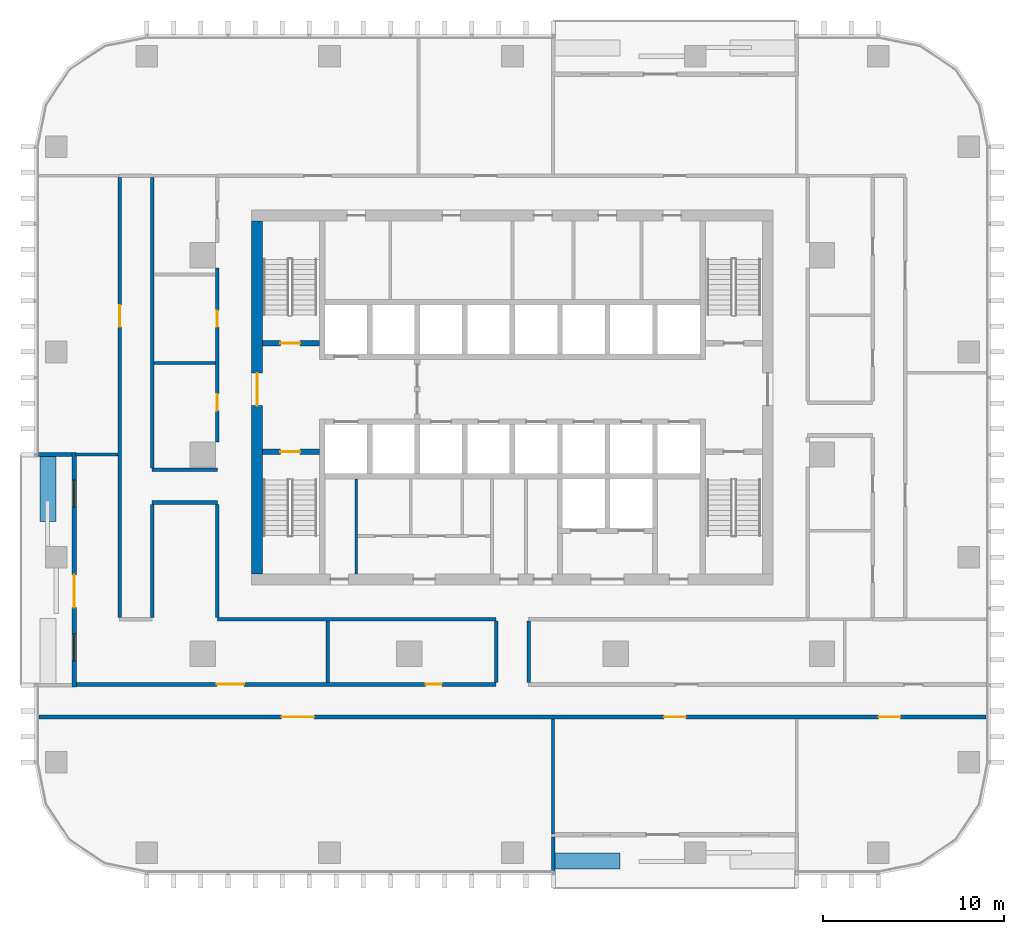
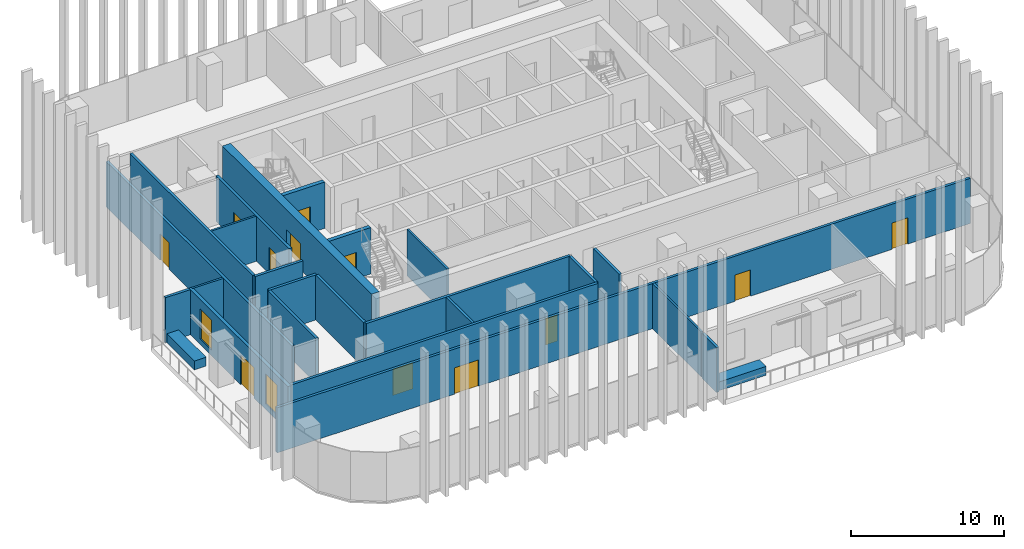
# One storey, part 7 of 16: 25 walls, 12 doors, 2 windows, 14 openings.
"""IFC4 building model written with IfcOpenShell, lengths in metres."""

from ifc_helpers import new_model, si_unit, direction, frame, frame_2d, origin, place, context, subcontext, project, spatial, rectangle, extrude, material, layer, layer_set, type_object, element, fill, save


model = new_model("IFC4")

# Units and contexts
model_context = context("Model", 3, precision=1e-05, world=origin(), true_north=direction((0.0, 1.0)))
body_context = subcontext(model_context, "Body", "Model", "MODEL_VIEW")
ifc_project = project(units=[si_unit("LENGTHUNIT", "METRE"), si_unit("AREAUNIT", "SQUARE_METRE"), si_unit("VOLUMEUNIT", "CUBIC_METRE"), si_unit("PLANEANGLEUNIT", "RADIAN"), si_unit("MASSUNIT", "GRAM", prefix="KILO")], contexts=[model_context])

# Site, building, storey
site_placement = place(None, origin())
site = spatial("IfcSite", under=ifc_project, at=site_placement, CompositionType="ELEMENT")
building_placement = place(site_placement, origin())
building = spatial("IfcBuilding", under=site, at=building_placement, Name="Mopane Tessera Tower", CompositionType="ELEMENT")
storey_placement = place(building_placement, frame((0.0, 0.0, 181.0)))
storey = spatial("IfcBuildingStorey", under=building, at=storey_placement, Name="L37", CompositionType="ELEMENT", Elevation=181.0)

# Wall
ifc_material_1 = material(Name="Fire-rated gypsum board partition")
ifc_layer_1 = layer(ifc_material_1, 0.14990234375)
ifc_layer_set_1 = layer_set([ifc_layer_1], Name="Fire-rated gypsum board partition")
wall_type_1 = type_object("IfcWallType", Name="Core room partition 150 mm", PredefinedType="PARTITIONING", material=ifc_layer_set_1)
wall_1_placement = place(storey_placement, frame((-8.625, -6.60009765625, 0.0), z_axis=(0.0, 0.0, 1.0), x_axis=(0.0, 1.0, 0.0)))
element("IfcWall", 1, at=wall_1_placement, inside=storey, type_object=wall_type_1, Name="L37 Room partition", PredefinedType="PARTITIONING", context=body_context, shape_type="SweptSolid", body=[
    extrude(rectangle(XDim=5.25, YDim=0.14990234375, at=frame_2d((2.625, 0.0))), origin(), (0.0, 0.0, 1.0), 3.699951171875),
])

# Wall, opening, door
ifc_material_2 = material(Name="Concrete C70/85", Category="concrete")
ifc_layer_2 = layer(ifc_material_2, 0.60009765625)
ifc_layer_set_2 = layer_set([ifc_layer_2], Name="Concrete C70/85")
wall_type_2 = type_object("IfcWallType", Name="Core shear wall 600 mm", PredefinedType="SHEAR", material=ifc_layer_set_2)
wall_2_placement = place(storey_placement, frame((-14.10009765625, -6.60009765625, 0.0), z_axis=(0.0, 0.0, 1.0), x_axis=(0.0, 1.0, 0.0)))
wall_2 = element("IfcWall", 2, at=wall_2_placement, inside=storey, type_object=wall_type_2, Name="L37 Core wall west", PredefinedType="SHEAR", context=body_context, shape_type="SweptSolid", body=[
    extrude(rectangle(XDim=19.5, YDim=0.60009765625, at=frame_2d((9.75, 0.0))), origin(), (0.0, 0.0, 1.0), 3.699951171875),
])
opening_1_placement = place(wall_2_placement, frame((9.300048828125, 0.0, 0.0)))
opening_1 = element("IfcOpeningElement", 3, at=opening_1_placement, cuts=wall_2, Name="Opening SD2", PredefinedType="OPENING", context=body_context, shape_type="SweptSolid", body=[
    extrude(rectangle(XDim=1.800048828125, YDim=2.10009765625, at=frame_2d((0.89990234375, 1.050048828125))), frame((0.0, 0.31201171875, 0.0), z_axis=(0.0, -1.0, 0.0), x_axis=(1.0, 0.0, 0.0)), (0.0, 0.0, 1.0), 0.6240234375),
])
ifc_material_3 = material(Name="Steel fire door", Category="steel")
door_type_1 = type_object("IfcDoorType", Name="Core entrance double door 1800 x 2100", OperationType="DOUBLE_DOOR_SINGLE_SWING", PredefinedType="DOOR", material=ifc_material_3)
door_1_placement = place(opening_1_placement, origin())
door_1 = element("IfcDoor", 4, at=door_1_placement, inside=storey, type_object=door_type_1, Name="L37 Core entrance door west", OperationType="DOUBLE_DOOR_SINGLE_SWING", OverallHeight=2.10009765625, OverallWidth=1.800048828125, PredefinedType="DOOR", context=body_context, shape_type="SweptSolid", body=[
    extrude(rectangle(XDim=1.800048828125, YDim=2.10009765625, at=frame_2d((0.89990234375, 1.050048828125))), frame((0.0, 0.02490234375, 0.0), z_axis=(0.0, -1.0, 0.0), x_axis=(1.0, 0.0, 0.0)), (0.0, 0.0, 1.0), 0.050048828125),
])
fill(opening_1, door_1)

# Wall
ifc_material_4 = material(Name="Gypsum board on staggered steel studs, double layer each face, acoustic mineral wool infill", Category="steel")
ifc_layer_3 = layer(ifc_material_4, 0.175048828125)
ifc_layer_set_3 = layer_set([ifc_layer_3], Name="Gypsum board on staggered steel studs, double layer each face, acoustic mineral wool infill")
wall_type_3 = type_object("IfcWallType", Name="Gypsum board acoustic partition 175, rated EI 60", PredefinedType="PARTITIONING", material=ifc_layer_set_3)
wall_3_placement = place(storey_placement, frame((-10.199951171875, -12.60009765625, 0.0), z_axis=(0.0, 0.0, 1.0), x_axis=(0.0, 1.0, 0.0)))
element("IfcWall", 5, at=wall_3_placement, inside=storey, type_object=wall_type_3, Name="Partition L37:031", PredefinedType="PARTITIONING", context=body_context, shape_type="SweptSolid", body=[
    extrude(rectangle(XDim=3.400146484375, YDim=0.175048828125, at=frame_2d((1.7001953125, 0.0))), origin(), (0.0, 0.0, 1.0), 3.60009765625),
])

# Wall, openings, doors
ifc_material_5 = material(Name="Gypsum board on steel studs, two layers each face, mineral wool infill", Category="steel")
ifc_layer_4 = layer(ifc_material_5, 0.199951171875)
ifc_layer_set_4 = layer_set([ifc_layer_4], Name="Gypsum board on steel studs, two layers each face, mineral wool infill")
wall_type_4 = type_object("IfcWallType", Name="Gypsum board corridor wall 200, rated EI 60", PredefinedType="PARTITIONING", material=ifc_layer_set_4)
wall_4_placement = place(storey_placement, frame((-26.14990234375, -14.5, 0.0), z_axis=(0.0, 0.0, 1.0), x_axis=(1.0, 0.0, 0.0)))
wall_4 = element("IfcWall", 6, at=wall_4_placement, inside=storey, type_object=wall_type_4, Name="Partition L37:000", PredefinedType="PARTITIONING", context=body_context, shape_type="SweptSolid", body=[
    extrude(rectangle(XDim=52.2998046875, YDim=0.199951171875, at=frame_2d((26.14990234375, 0.0))), origin(), (0.0, 0.0, 1.0), 3.60009765625),
])
opening_2_placement = place(wall_4_placement, frame((34.527587890625, 0.0, 0.0)))
opening_2 = element("IfcOpeningElement", 7, at=opening_2_placement, cuts=wall_4, Name="Opening L37-12", PredefinedType="OPENING", context=body_context, shape_type="SweptSolid", body=[
    extrude(rectangle(XDim=1.199951171875, YDim=2.10009765625, at=frame_2d((0.60009765625, 1.050048828125))), frame((0.0, 0.112060546875, 0.0), z_axis=(0.0, -1.0, 0.0), x_axis=(1.0, 0.0, 0.0)), (0.0, 0.0, 1.0), 0.223876953125),
])
opening_3_placement = place(wall_4_placement, frame((13.3974609375, 0.0, 0.0)))
opening_3 = element("IfcOpeningElement", 8, at=opening_3_placement, cuts=wall_4, Name="Opening L37-14", PredefinedType="OPENING", context=body_context, shape_type="SweptSolid", body=[
    extrude(rectangle(XDim=1.800048828125, YDim=2.10009765625, at=frame_2d((0.89990234375, 1.050048828125))), frame((0.0, 0.112060546875, 0.0), z_axis=(0.0, -1.0, 0.0), x_axis=(1.0, 0.0, 0.0)), (0.0, 0.0, 1.0), 0.223876953125),
])
opening_4_placement = place(wall_4_placement, frame((46.3798828125, 0.0, 0.0)))
opening_4 = element("IfcOpeningElement", 9, at=opening_4_placement, cuts=wall_4, Name="Opening L37-15", PredefinedType="OPENING", context=body_context, shape_type="SweptSolid", body=[
    extrude(rectangle(XDim=1.199951171875, YDim=2.10009765625, at=frame_2d((0.60009765625, 1.050048828125))), frame((0.0, 0.112060546875, 0.0), z_axis=(0.0, -1.0, 0.0), x_axis=(1.0, 0.0, 0.0)), (0.0, 0.0, 1.0), 0.223876953125),
])
ifc_material_6 = material(Name="Timber veneered steel-framed fire door", Category="steel")
door_type_2 = type_object("IfcDoorType", Name="Fire door FD60 1200 x 2100", OperationType="SINGLE_SWING_LEFT", PredefinedType="DOOR", material=ifc_material_6)
door_2_placement = place(opening_2_placement, origin())
door_2 = element("IfcDoor", 10, at=door_2_placement, inside=storey, type_object=door_type_2, Name="Door L37-12", ObjectType="D15A", OperationType="SINGLE_SWING_RIGHT", OverallHeight=2.10009765625, OverallWidth=1.199951171875, PredefinedType="DOOR", context=body_context, shape_type="SweptSolid", body=[
    extrude(rectangle(XDim=1.199951171875, YDim=2.10009765625, at=frame_2d((0.60009765625, 1.050048828125))), frame((0.0, 0.02490234375, 0.0), z_axis=(0.0, -1.0, 0.0), x_axis=(1.0, 0.0, 0.0)), (0.0, 0.0, 1.0), 0.050048828125),
])
fill(opening_2, door_2)
door_3_placement = place(opening_4_placement, origin())
door_3 = element("IfcDoor", 11, at=door_3_placement, inside=storey, type_object=door_type_2, Name="Door L37-15", ObjectType="D15A", OperationType="SINGLE_SWING_LEFT", OverallHeight=2.10009765625, OverallWidth=1.199951171875, PredefinedType="DOOR", context=body_context, shape_type="SweptSolid", body=[
    extrude(rectangle(XDim=1.199951171875, YDim=2.10009765625, at=frame_2d((0.60009765625, 1.050048828125))), frame((0.0, 0.02490234375, 0.0), z_axis=(0.0, -1.0, 0.0), x_axis=(1.0, 0.0, 0.0)), (0.0, 0.0, 1.0), 0.050048828125),
])
fill(opening_4, door_3)
ifc_material_7 = material(Name="Timber veneered steel-framed fire door", Category="steel")
door_type_3 = type_object("IfcDoorType", Name="Fire door pair FD60 1800 x 2100", OperationType="DOUBLE_DOOR_SINGLE_SWING", PredefinedType="DOOR", material=ifc_material_7)
door_4_placement = place(opening_3_placement, origin())
door_4 = element("IfcDoor", 12, at=door_4_placement, inside=storey, type_object=door_type_3, Name="Door L37-14", ObjectType="D20A", OperationType="DOUBLE_DOOR_SINGLE_SWING", OverallHeight=2.10009765625, OverallWidth=1.800048828125, PredefinedType="DOOR", context=body_context, shape_type="SweptSolid", body=[
    extrude(rectangle(XDim=1.800048828125, YDim=2.10009765625, at=frame_2d((0.89990234375, 1.050048828125))), frame((0.0, 0.02490234375, 0.0), z_axis=(0.0, -1.0, 0.0), x_axis=(1.0, 0.0, 0.0)), (0.0, 0.0, 1.0), 0.050048828125),
])
fill(opening_3, door_4)

wall_5_placement = place(storey_placement, frame((-24.14990234375, -12.699951171875, 0.0), z_axis=(0.0, 0.0, 1.0), x_axis=(1.0, 0.0, 0.0)))
wall_5 = element("IfcWall", 13, at=wall_5_placement, inside=storey, type_object=wall_type_4, Name="Partition L37:001", PredefinedType="PARTITIONING", context=body_context, shape_type="SweptSolid", body=[
    extrude(rectangle(XDim=23.25, YDim=0.199951171875, at=frame_2d((11.625, 0.0))), origin(), (0.0, 0.0, 1.0), 3.60009765625),
])
opening_5_placement = place(wall_5_placement, frame((19.35009765625, 0.0, 0.0)))
opening_5 = element("IfcOpeningElement", 14, at=opening_5_placement, cuts=wall_5, Name="Opening L37-03", PredefinedType="OPENING", context=body_context, shape_type="SweptSolid", body=[
    extrude(rectangle(XDim=0.89990234375, YDim=2.10009765625, at=frame_2d((0.449951171875, 1.050048828125))), frame((0.0, 0.112060546875, 0.0), z_axis=(0.0, -1.0, 0.0), x_axis=(1.0, 0.0, 0.0)), (0.0, 0.0, 1.0), 0.223876953125),
])
opening_6_placement = place(wall_5_placement, frame((7.824951171875, 0.0, 0.0)))
opening_6 = element("IfcOpeningElement", 15, at=opening_6_placement, cuts=wall_5, Name="Opening L37-11", PredefinedType="OPENING", context=body_context, shape_type="SweptSolid", body=[
    extrude(rectangle(XDim=1.5, YDim=2.10009765625, at=frame_2d((0.75, 1.050048828125))), frame((0.0, 0.112060546875, 0.0), z_axis=(0.0, -1.0, 0.0), x_axis=(1.0, 0.0, 0.0)), (0.0, 0.0, 1.0), 0.223876953125),
])
ifc_material_8 = material(Name="Timber veneered steel-framed fire door", Category="steel")
door_type_4 = type_object("IfcDoorType", Name="Fire door FD60 900 x 2100", OperationType="SINGLE_SWING_LEFT", PredefinedType="DOOR", material=ifc_material_8)
door_5_placement = place(opening_5_placement, origin())
door_5 = element("IfcDoor", 16, at=door_5_placement, inside=storey, type_object=door_type_4, Name="Door L37-03", ObjectType="D10A", OperationType="SINGLE_SWING_RIGHT", OverallHeight=2.10009765625, OverallWidth=0.89990234375, PredefinedType="DOOR", context=body_context, shape_type="SweptSolid", body=[
    extrude(rectangle(XDim=0.89990234375, YDim=2.10009765625, at=frame_2d((0.449951171875, 1.050048828125))), frame((0.0, 0.02490234375, 0.0), z_axis=(0.0, -1.0, 0.0), x_axis=(1.0, 0.0, 0.0)), (0.0, 0.0, 1.0), 0.050048828125),
])
fill(opening_5, door_5)
ifc_material_9 = material(Name="Timber veneered steel-framed fire door", Category="steel")
door_type_5 = type_object("IfcDoorType", Name="Fire door pair FD60 1500 x 2100", OperationType="DOUBLE_DOOR_SINGLE_SWING", PredefinedType="DOOR", material=ifc_material_9)
door_6_placement = place(opening_6_placement, origin())
door_6 = element("IfcDoor", 17, at=door_6_placement, inside=storey, type_object=door_type_5, Name="Door L37-11", ObjectType="D17A", OperationType="DOUBLE_DOOR_SINGLE_SWING", OverallHeight=2.10009765625, OverallWidth=1.5, PredefinedType="DOOR", context=body_context, shape_type="SweptSolid", body=[
    extrude(rectangle(XDim=1.5, YDim=2.10009765625, at=frame_2d((0.75, 1.050048828125))), frame((0.0, 0.02490234375, 0.0), z_axis=(0.0, -1.0, 0.0), x_axis=(1.0, 0.0, 0.0)), (0.0, 0.0, 1.0), 0.050048828125),
])
fill(opening_6, door_6)

# Walls
wall_6_placement = place(storey_placement, frame((-16.300048828125, -9.10009765625, 0.0), z_axis=(0.0, 0.0, 1.0), x_axis=(1.0, 0.0, 0.0)))
element("IfcWall", 18, at=wall_6_placement, inside=storey, type_object=wall_type_4, Name="Partition L37:006", PredefinedType="PARTITIONING", context=body_context, shape_type="SweptSolid", body=[
    extrude(rectangle(XDim=15.400146484375, YDim=0.199951171875, at=frame_2d((7.7001953125, 0.0))), origin(), (0.0, 0.0, 1.0), 3.60009765625),
])
for number, where, z_axis, x_axis, name in (
    (19, (-19.89990234375, -2.64990234375, 0.0), (0.0, 0.0, 1.0), (1.0, 0.0, 0.0), "Partition L37:010"),
    (20, (-19.89990234375, -0.85009765625, 0.0), (0.0, 0.0, 1.0), (1.0, 0.0, 0.0), "Partition L37:011"),
):
    element("IfcWall", number, at=place(storey_placement, frame(where, z_axis=z_axis, x_axis=x_axis)), inside=storey, type_object=wall_type_4, Name=name, PredefinedType="PARTITIONING", context=body_context, shape_type="SweptSolid", body=[
        extrude(rectangle(XDim=3.599853515625, YDim=0.199951171875, at=frame_2d((1.7998046875, 0.0))), origin(), (0.0, 0.0, 1.0), 3.60009765625),
    ])

# Wall, opening, door
wall_7_placement = place(storey_placement, frame((-21.699951171875, -9.0, 0.0), z_axis=(0.0, 0.0, 1.0), x_axis=(0.0, 1.0, 0.0)))
wall_7 = element("IfcWall", 21, at=wall_7_placement, inside=storey, type_object=wall_type_4, Name="Partition L37:025", PredefinedType="PARTITIONING", context=body_context, shape_type="SweptSolid", body=[
    extrude(rectangle(XDim=24.300048828125, YDim=0.199951171875, at=frame_2d((12.14990234375, 0.0))), origin(), (0.0, 0.0, 1.0), 3.60009765625),
])
opening_7_placement = place(wall_7_placement, frame((16.050048828125, 0.0, 0.0)))
opening_7 = element("IfcOpeningElement", 22, at=opening_7_placement, cuts=wall_7, Name="Opening L37-01", PredefinedType="OPENING", context=body_context, shape_type="SweptSolid", body=[
    extrude(rectangle(XDim=1.199951171875, YDim=2.10009765625, at=frame_2d((0.60009765625, 1.050048828125))), frame((0.0, 0.112060546875, 0.0), z_axis=(0.0, -1.0, 0.0), x_axis=(1.0, 0.0, 0.0)), (0.0, 0.0, 1.0), 0.223876953125),
])
door_7_placement = place(opening_7_placement, origin())
door_7 = element("IfcDoor", 23, at=door_7_placement, inside=storey, type_object=door_type_2, Name="Door L37-01", ObjectType="D15A", OperationType="SINGLE_SWING_RIGHT", OverallHeight=2.10009765625, OverallWidth=1.199951171875, PredefinedType="DOOR", context=body_context, shape_type="SweptSolid", body=[
    extrude(rectangle(XDim=1.199951171875, YDim=2.10009765625, at=frame_2d((0.60009765625, 1.050048828125))), frame((0.0, 0.02490234375, 0.0), z_axis=(0.0, -1.0, 0.0), x_axis=(1.0, 0.0, 0.0)), (0.0, 0.0, 1.0), 0.050048828125),
])
fill(opening_7, door_7)

# Walls
wall_8_placement = place(storey_placement, frame((-19.89990234375, -9.0, 0.0), z_axis=(0.0, 0.0, 1.0), x_axis=(0.0, 1.0, 0.0)))
element("IfcWall", 24, at=wall_8_placement, inside=storey, type_object=wall_type_4, Name="Partition L37:026", PredefinedType="PARTITIONING", context=body_context, shape_type="SweptSolid", body=[
    extrude(rectangle(XDim=6.25, YDim=0.199951171875, at=frame_2d((3.125, 0.0))), origin(), (0.0, 0.0, 1.0), 3.60009765625),
])
wall_9_placement = place(storey_placement, frame((-19.89990234375, -0.75, 0.0), z_axis=(0.0, 0.0, 1.0), x_axis=(0.0, 1.0, 0.0)))
element("IfcWall", 25, at=wall_9_placement, inside=storey, type_object=wall_type_4, Name="Partition L37:027", PredefinedType="PARTITIONING", context=body_context, shape_type="SweptSolid", body=[
    extrude(rectangle(XDim=16.050048828125, YDim=0.199951171875, at=frame_2d((8.02490234375, 0.0))), origin(), (0.0, 0.0, 1.0), 3.60009765625),
])
wall_10_placement = place(storey_placement, frame((-16.300048828125, -9.0, 0.0), z_axis=(0.0, 0.0, 1.0), x_axis=(0.0, 1.0, 0.0)))
element("IfcWall", 26, at=wall_10_placement, inside=storey, type_object=wall_type_4, Name="Partition L37:028", PredefinedType="PARTITIONING", context=body_context, shape_type="SweptSolid", body=[
    extrude(rectangle(XDim=6.25, YDim=0.199951171875, at=frame_2d((3.125, 0.0))), origin(), (0.0, 0.0, 1.0), 3.60009765625),
])

# Wall, openings, doors
wall_11_placement = place(storey_placement, frame((-16.300048828125, 0.699951171875, 0.0), z_axis=(0.0, 0.0, 1.0), x_axis=(0.0, 1.0, 0.0)))
wall_11 = element("IfcWall", 27, at=wall_11_placement, inside=storey, type_object=wall_type_4, Name="Partition L37:029", PredefinedType="PARTITIONING", context=body_context, shape_type="SweptSolid", body=[
    extrude(rectangle(XDim=9.60009765625, YDim=0.199951171875, at=frame_2d((4.800048828125, 0.0))), origin(), (0.0, 0.0, 1.0), 3.60009765625),
])
opening_8_placement = place(wall_11_placement, frame((1.72998046875, 0.0, 0.0)))
opening_8 = element("IfcOpeningElement", 28, at=opening_8_placement, cuts=wall_11, Name="Opening L37-04", PredefinedType="OPENING", context=body_context, shape_type="SweptSolid", body=[
    extrude(rectangle(XDim=0.89990234375, YDim=2.10009765625, at=frame_2d((0.449951171875, 1.050048828125))), frame((0.0, 0.112060546875, 0.0), z_axis=(0.0, -1.0, 0.0), x_axis=(1.0, 0.0, 0.0)), (0.0, 0.0, 1.0), 0.223876953125),
])
opening_9_placement = place(wall_11_placement, frame((6.3525390625, 0.0, 0.0)))
opening_9 = element("IfcOpeningElement", 29, at=opening_9_placement, cuts=wall_11, Name="Opening L37-08", PredefinedType="OPENING", context=body_context, shape_type="SweptSolid", body=[
    extrude(rectangle(XDim=0.89990234375, YDim=2.10009765625, at=frame_2d((0.449951171875, 1.050048828125))), frame((0.0, 0.112060546875, 0.0), z_axis=(0.0, -1.0, 0.0), x_axis=(1.0, 0.0, 0.0)), (0.0, 0.0, 1.0), 0.223876953125),
])
door_8_placement = place(opening_8_placement, origin())
door_8 = element("IfcDoor", 30, at=door_8_placement, inside=storey, type_object=door_type_4, Name="Door L37-04", ObjectType="D10A", OperationType="SINGLE_SWING_LEFT", OverallHeight=2.10009765625, OverallWidth=0.89990234375, PredefinedType="DOOR", context=body_context, shape_type="SweptSolid", body=[
    extrude(rectangle(XDim=0.89990234375, YDim=2.10009765625, at=frame_2d((0.449951171875, 1.050048828125))), frame((0.0, 0.02490234375, 0.0), z_axis=(0.0, -1.0, 0.0), x_axis=(1.0, 0.0, 0.0)), (0.0, 0.0, 1.0), 0.050048828125),
])
fill(opening_8, door_8)
door_9_placement = place(opening_9_placement, origin())
door_9 = element("IfcDoor", 31, at=door_9_placement, inside=storey, type_object=door_type_4, Name="Door L37-08", ObjectType="D10A", OperationType="SINGLE_SWING_LEFT", OverallHeight=2.10009765625, OverallWidth=0.89990234375, PredefinedType="DOOR", context=body_context, shape_type="SweptSolid", body=[
    extrude(rectangle(XDim=0.89990234375, YDim=2.10009765625, at=frame_2d((0.449951171875, 1.050048828125))), frame((0.0, 0.02490234375, 0.0), z_axis=(0.0, -1.0, 0.0), x_axis=(1.0, 0.0, 0.0)), (0.0, 0.0, 1.0), 0.050048828125),
])
fill(opening_9, door_9)

# Walls
for number, where, z_axis, x_axis, name in (
    (32, (-0.89990234375, -12.60009765625, 0.0), (0.0, 0.0, 1.0), (0.0, 1.0, 0.0), "Partition L37:033"),
    (33, (0.89990234375, -12.60009765625, 0.0), (0.0, 0.0, 1.0), (0.0, 1.0, 0.0), "Partition L37:034"),
):
    element("IfcWall", number, at=place(storey_placement, frame(where, z_axis=z_axis, x_axis=x_axis)), inside=storey, type_object=wall_type_4, Name=name, PredefinedType="PARTITIONING", context=body_context, shape_type="SweptSolid", body=[
        extrude(rectangle(XDim=3.400146484375, YDim=0.199951171875, at=frame_2d((1.7001953125, 0.0))), origin(), (0.0, 0.0, 1.0), 3.60009765625),
    ])
ifc_material_10 = material(Name="Gypsum board on steel studs, mineral wool infill", Category="steel")
ifc_layer_5 = layer(ifc_material_10, 0.14990234375)
ifc_layer_set_5 = layer_set([ifc_layer_5], Name="Gypsum board on steel studs, mineral wool infill")
wall_type_5 = type_object("IfcWallType", Name="Gypsum board partition 150, rated EI 60", PredefinedType="PARTITIONING", material=ifc_layer_set_5)
wall_12_placement = place(storey_placement, frame((-24.14990234375, 0.0, 0.0), z_axis=(0.0, 0.0, 1.0), x_axis=(1.0, 0.0, 0.0)))
element("IfcWall", 34, at=wall_12_placement, inside=storey, type_object=wall_type_5, Name="Partition L37:012", PredefinedType="PARTITIONING", context=body_context, shape_type="SweptSolid", body=[
    extrude(rectangle(XDim=2.349853515625, YDim=0.14990234375, at=frame_2d((1.1748046875, 0.0))), origin(), (0.0, 0.0, 1.0), 3.60009765625),
])
wall_13_placement = place(storey_placement, frame((-19.800048828125, 5.06005859375, 0.0), z_axis=(0.0, 0.0, 1.0), x_axis=(1.0, 0.0, 0.0)))
element("IfcWall", 35, at=wall_13_placement, inside=storey, type_object=wall_type_5, Name="Partition L37:016", PredefinedType="PARTITIONING", context=body_context, shape_type="SweptSolid", body=[
    extrude(rectangle(XDim=3.400146484375, YDim=0.14990234375, at=frame_2d((1.7001953125, 0.0))), origin(), (0.0, 0.0, 1.0), 3.60009765625),
])
wall_14_placement = place(storey_placement, frame((2.2451171875, -20.949951171875, 0.0), z_axis=(0.0, 0.0, 1.0), x_axis=(0.0, 1.0, 0.0)))
element("IfcWall", 36, at=wall_14_placement, inside=storey, type_object=wall_type_5, Name="Partition L37:035", PredefinedType="PARTITIONING", context=body_context, shape_type="SweptSolid", body=[
    extrude(rectangle(XDim=6.349853515625, YDim=0.14990234375, at=frame_2d((3.1748046875, 0.0))), origin(), (0.0, 0.0, 1.0), 3.60009765625),
])

# Wall, opening, door
ifc_material_11 = material(Name="Concrete C50/60", Category="concrete")
ifc_layer_6 = layer(ifc_material_11, 0.300048828125)
ifc_layer_set_6 = layer_set([ifc_layer_6], Name="Concrete C50/60")
wall_type_6 = type_object("IfcWallType", Name="Lift and stair shaft wall 300 mm", PredefinedType="SOLIDWALL", material=ifc_layer_set_6)
wall_15_placement = place(storey_placement, frame((-13.800048828125, 0.14990234375, 0.0), z_axis=(0.0, 0.0, 1.0), x_axis=(1.0, 0.0, 0.0)))
wall_15 = element("IfcWall", 37, at=wall_15_placement, inside=storey, type_object=wall_type_6, Name="L37 Stair enclosure wall", PredefinedType="SOLIDWALL", context=body_context, shape_type="SweptSolid", body=[
    extrude(rectangle(XDim=3.150146484375, YDim=0.300048828125, at=frame_2d((1.5751953125, 0.0))), origin(), (0.0, 0.0, 1.0), 3.699951171875),
])
opening_10_placement = place(wall_15_placement, frame((0.97509765625, 0.0, 0.0)))
opening_10 = element("IfcOpeningElement", 38, at=opening_10_placement, cuts=wall_15, Name="Opening SD1", PredefinedType="OPENING", context=body_context, shape_type="SweptSolid", body=[
    extrude(rectangle(XDim=1.10009765625, YDim=2.10009765625, at=frame_2d((0.550048828125, 1.050048828125))), frame((0.0, 0.162109375, 0.0), z_axis=(0.0, -1.0, 0.0), x_axis=(1.0, 0.0, 0.0)), (0.0, 0.0, 1.0), 0.323974609375),
])
ifc_material_12 = material(Name="Steel fire door", Category="steel")
door_type_6 = type_object("IfcDoorType", Name="Stair fire door 1100 x 2100", OperationType="SINGLE_SWING_LEFT", PredefinedType="DOOR", material=ifc_material_12)
door_10_placement = place(opening_10_placement, origin())
door_10 = element("IfcDoor", 39, at=door_10_placement, inside=storey, type_object=door_type_6, Name="L37 Stair door ST1", OperationType="SINGLE_SWING_LEFT", OverallHeight=2.10009765625, OverallWidth=1.10009765625, PredefinedType="DOOR", context=body_context, shape_type="SweptSolid", body=[
    extrude(rectangle(XDim=1.10009765625, YDim=2.10009765625, at=frame_2d((0.550048828125, 1.050048828125))), frame((0.0, 0.02490234375, 0.0), z_axis=(0.0, -1.0, 0.0), x_axis=(1.0, 0.0, 0.0)), (0.0, 0.0, 1.0), 0.050048828125),
])
fill(opening_10, door_10)

wall_16_placement = place(storey_placement, frame((-13.800048828125, 6.14990234375, 0.0), z_axis=(0.0, 0.0, 1.0), x_axis=(1.0, 0.0, 0.0)))
wall_16 = element("IfcWall", 40, at=wall_16_placement, inside=storey, type_object=wall_type_6, Name="L37 Stair enclosure wall", PredefinedType="SOLIDWALL", context=body_context, shape_type="SweptSolid", body=[
    extrude(rectangle(XDim=3.150146484375, YDim=0.300048828125, at=frame_2d((1.5751953125, 0.0))), origin(), (0.0, 0.0, 1.0), 3.699951171875),
])
opening_11_placement = place(wall_16_placement, frame((0.97509765625, 0.0, 0.0)))
opening_11 = element("IfcOpeningElement", 41, at=opening_11_placement, cuts=wall_16, Name="Opening SD1", PredefinedType="OPENING", context=body_context, shape_type="SweptSolid", body=[
    extrude(rectangle(XDim=1.10009765625, YDim=2.10009765625, at=frame_2d((0.550048828125, 1.050048828125))), frame((0.0, 0.162109375, 0.0), z_axis=(0.0, -1.0, 0.0), x_axis=(1.0, 0.0, 0.0)), (0.0, 0.0, 1.0), 0.323974609375),
])
door_11_placement = place(opening_11_placement, origin())
door_11 = element("IfcDoor", 42, at=door_11_placement, inside=storey, type_object=door_type_6, Name="L37 Stair door ST2", OperationType="SINGLE_SWING_LEFT", OverallHeight=2.10009765625, OverallWidth=1.10009765625, PredefinedType="DOOR", context=body_context, shape_type="SweptSolid", body=[
    extrude(rectangle(XDim=1.10009765625, YDim=2.10009765625, at=frame_2d((0.550048828125, 1.050048828125))), frame((0.0, 0.02490234375, 0.0), z_axis=(0.0, -1.0, 0.0), x_axis=(1.0, 0.0, 0.0)), (0.0, 0.0, 1.0), 0.050048828125),
])
fill(opening_11, door_11)

# Walls
ifc_material_13 = material(Name="Reinforced concrete C32/40 with waterproofing", Category="concrete")
ifc_layer_7 = layer(ifc_material_13, 0.89990234375)
ifc_layer_set_7 = layer_set([ifc_layer_7], Name="Reinforced concrete C32/40 with waterproofing")
wall_type_7 = type_object("IfcWallType", Name="Planter trough 3600 x 900", PredefinedType="STANDARD", material=ifc_layer_set_7)
for number, where, z_axis, x_axis, name in (
    (43, (-25.64990234375, -0.10009765625, 0.0), (0.0, 0.0, 1.0), (0.0, -1.0, 0.0), "e:nw:L37:N1:pl0"),
    (44, (2.344482421875, -22.449951171875, 0.0), (0.0, 0.0, 1.0), (1.0, 0.0, 0.0), "e:nw:L37:N2:pl0"),
):
    element("IfcWall", number, at=place(storey_placement, frame(where, z_axis=z_axis, x_axis=x_axis)), inside=storey, type_object=wall_type_7, Name=name, PredefinedType="STANDARD", context=body_context, shape_type="SweptSolid", body=[
        extrude(rectangle(XDim=3.599853515625, YDim=0.89990234375, at=frame_2d((1.7998046875, 0.0))), origin(), (0.0, 0.0, 1.0), 0.699951171875),
    ])
ifc_material_14 = material(Name="Blockwork with glazed tile facing", Category="masonry")
ifc_layer_8 = layer(ifc_material_14, 0.199951171875)
ifc_layer_set_8 = layer_set([ifc_layer_8], Name="Blockwork with glazed tile facing")
wall_type_8 = type_object("IfcWallType", Name="Terrace cheek wall 200", PredefinedType="STANDARD", material=ifc_layer_set_8)
for number, where, z_axis, x_axis, name in (
    (45, (-26.199951171875, 0.0, 0.0), (0.0, 0.0, 1.0), (1.0, 0.0, 0.0), "e:nw:L37:N1:cheeka"),
    (46, (2.244384765625, -23.0, 0.0), (0.0, 0.0, 1.0), (0.0, 1.0, 0.0), "e:nw:L37:N2:cheeka"),
):
    element("IfcWall", number, at=place(storey_placement, frame(where, z_axis=z_axis, x_axis=x_axis)), inside=storey, type_object=wall_type_8, Name=name, PredefinedType="STANDARD", context=body_context, shape_type="SweptSolid", body=[
        extrude(rectangle(XDim=1.875, YDim=0.199951171875, at=frame_2d((0.9375, 0.0))), origin(), (0.0, 0.0, 1.0), 3.60009765625),
    ])

# Wall, openings, windows, door
ifc_material_15 = material(Name="Blockwork with turquoise glazed tile facing", Category="masonry")
ifc_layer_9 = layer(ifc_material_15, 0.25)
ifc_layer_set_9 = layer_set([ifc_layer_9], Name="Blockwork with turquoise glazed tile facing")
wall_type_9 = type_object("IfcWallType", Name="Tile-clad external wall 250, turquoise", PredefinedType="STANDARD", material=ifc_layer_set_9)
wall_17_placement = place(storey_placement, frame((-24.199951171875, 0.10009765625, 0.0), z_axis=(0.0, 0.0, 1.0), x_axis=(0.0, -1.0, 0.0)))
wall_17 = element("IfcWall", 47, at=wall_17_placement, inside=storey, type_object=wall_type_9, Name="e:nw:L37:N1:back", PredefinedType="STANDARD", context=body_context, shape_type="SweptSolid", body=[
    extrude(rectangle(XDim=12.9501953125, YDim=0.25, at=frame_2d((6.47509765625, 0.0))), origin(), (0.0, 0.0, 1.0), 3.60009765625),
])
opening_12_placement = place(wall_17_placement, frame((1.5, 0.0, 0.449951171875)))
opening_12 = element("IfcOpeningElement", 48, at=opening_12_placement, cuts=wall_17, Name="Opening NW371A", PredefinedType="OPENING", context=body_context, shape_type="SweptSolid", body=[
    extrude(rectangle(XDim=1.5, YDim=2.39990234375, at=frame_2d((0.75, 1.199951171875))), frame((0.0, 0.136962890625, 0.0), z_axis=(0.0, -1.0, 0.0), x_axis=(1.0, 0.0, 0.0)), (0.0, 0.0, 1.0), 0.27392578125),
])
opening_13_placement = place(wall_17_placement, frame((6.75, 0.0, 0.0)))
opening_13 = element("IfcOpeningElement", 49, at=opening_13_placement, cuts=wall_17, Name="Opening ND371", PredefinedType="OPENING", context=body_context, shape_type="SweptSolid", body=[
    extrude(rectangle(XDim=1.800048828125, YDim=2.39990234375, at=frame_2d((0.89990234375, 1.199951171875))), frame((0.0, 0.136962890625, 0.0), z_axis=(0.0, -1.0, 0.0), x_axis=(1.0, 0.0, 0.0)), (0.0, 0.0, 1.0), 0.27392578125),
])
opening_14_placement = place(wall_17_placement, frame((10.0, 0.0, 0.449951171875)))
opening_14 = element("IfcOpeningElement", 50, at=opening_14_placement, cuts=wall_17, Name="Opening NW371B", PredefinedType="OPENING", context=body_context, shape_type="SweptSolid", body=[
    extrude(rectangle(XDim=1.5, YDim=2.39990234375, at=frame_2d((0.75, 1.199951171875))), frame((0.0, 0.136962890625, 0.0), z_axis=(0.0, -1.0, 0.0), x_axis=(1.0, 0.0, 0.0)), (0.0, 0.0, 1.0), 0.27392578125),
])
ifc_material_16 = material(Name="Clear laminated glass", Category="glass")
window_type = type_object("IfcWindowType", Name="Fixed window 1500 x 2400", PartitioningType="SINGLE_PANEL", PredefinedType="WINDOW", material=ifc_material_16)
window_1_placement = place(opening_12_placement, origin())
window_1 = element("IfcWindow", 51, at=window_1_placement, inside=storey, type_object=window_type, Name="e:nw:L37:N1:win0", OverallHeight=2.39990234375, OverallWidth=1.5, PartitioningType="SINGLE_PANEL", PredefinedType="WINDOW", context=body_context, shape_type="SweptSolid", body=[
    extrude(rectangle(XDim=1.5, YDim=2.39990234375, at=frame_2d((0.75, 1.199951171875))), frame((0.0, 0.030029296875, 0.0), z_axis=(0.0, -1.0, 0.0), x_axis=(1.0, 0.0, 0.0)), (0.0, 0.0, 1.0), 0.06005859375),
])
fill(opening_12, window_1)
window_2_placement = place(opening_14_placement, origin())
window_2 = element("IfcWindow", 52, at=window_2_placement, inside=storey, type_object=window_type, Name="e:nw:L37:N1:win2", OverallHeight=2.39990234375, OverallWidth=1.5, PartitioningType="SINGLE_PANEL", PredefinedType="WINDOW", context=body_context, shape_type="SweptSolid", body=[
    extrude(rectangle(XDim=1.5, YDim=2.39990234375, at=frame_2d((0.75, 1.199951171875))), frame((0.0, 0.030029296875, 0.0), z_axis=(0.0, -1.0, 0.0), x_axis=(1.0, 0.0, 0.0)), (0.0, 0.0, 1.0), 0.06005859375),
])
fill(opening_14, window_2)
ifc_material_17 = material(Name="Aluminium and clear glass", Category="aluminium")
door_type_7 = type_object("IfcDoorType", Name="Terrace double door 1800 x 2400", OperationType="DOUBLE_DOOR_SINGLE_SWING", PredefinedType="DOOR", material=ifc_material_17)
door_12_placement = place(opening_13_placement, origin())
door_12 = element("IfcDoor", 53, at=door_12_placement, inside=storey, type_object=door_type_7, Name="e:nw:L37:N1:door", ObjectType="D1", OperationType="DOUBLE_DOOR_SINGLE_SWING", OverallHeight=2.39990234375, OverallWidth=1.800048828125, PredefinedType="DOOR", context=body_context, shape_type="SweptSolid", body=[
    extrude(rectangle(XDim=1.800048828125, YDim=2.39990234375, at=frame_2d((0.89990234375, 1.199951171875))), frame((0.0, 0.02490234375, 0.0), z_axis=(0.0, -1.0, 0.0), x_axis=(1.0, 0.0, 0.0)), (0.0, 0.0, 1.0), 0.050048828125),
])
fill(opening_13, door_12)

save(model, "model.ifc")
